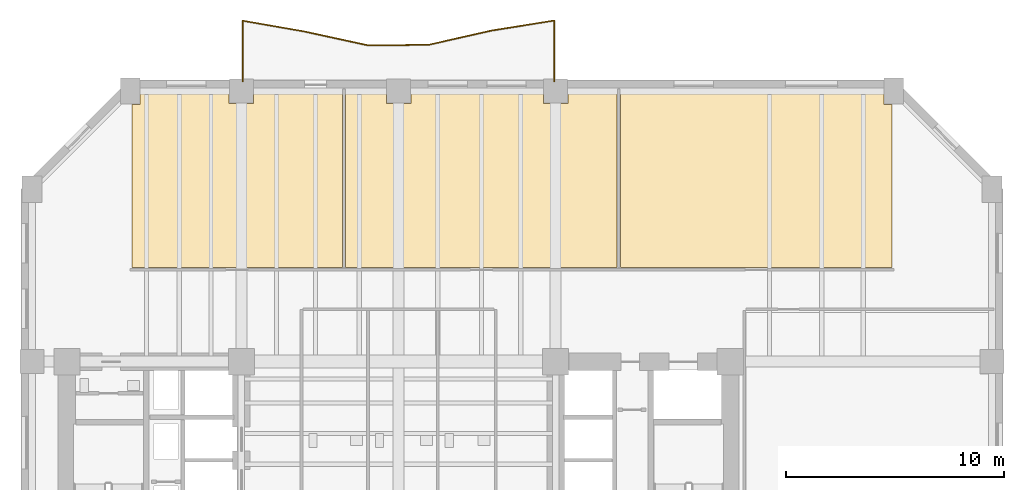
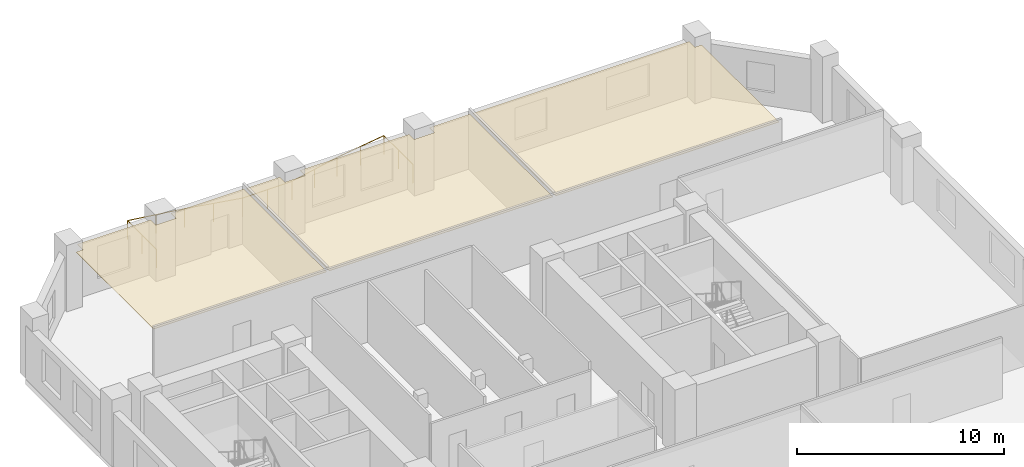
# One storey, part 8 of 9: 3 coverings, 1 railing.
"""IFC4 building model written with IfcOpenShell, lengths in metres."""

import ifcopenshell
import ifcopenshell.guid

model = None  # the IFC model being written
_history = None  # IfcOwnerHistory: only IFC2X3 demands one
_inside = {}  # id of a spatial element -> (the spatial element, [elements in it])
_under = {}  # id of a project, library or spatial element -> (it, [spatial elements below it])
_declared = {}  # id of a project -> (the project, [libraries it declares])
_typed = {}  # id of a type object -> (the type object, [elements of that type])
_made_of = {}  # id of a material, layer set ... -> (it, [elements and type objects made of it])


def new_model(schema):
    """Start an empty IFC model of exactly this schema.

    Asked for "IFC4X3", IfcOpenShell would pick the latest addendum, in which some entities
    have other attributes; the version numbers below select the first issue.
    IFC2X3 requires an IfcOwnerHistory on every rooted entity: one is made here for all.
    """
    global model, _history
    if schema == "IFC4X3":
        model = ifcopenshell.file(schema_version=(4, 3, 0, 0))
    else:
        model = ifcopenshell.file(schema=schema)
    _inside.clear()
    _under.clear()
    _declared.clear()
    _typed.clear()
    _made_of.clear()
    _history = None
    if model.schema == "IFC2X3":
        org = make("IfcOrganization", Name="unknown")
        user = make(
            "IfcPersonAndOrganization",
            ThePerson=make("IfcPerson", FamilyName="unknown"),
            TheOrganization=org,
        )
        app = make(
            "IfcApplication",
            ApplicationDeveloper=org,
            Version="unknown",
            ApplicationFullName="unknown",
            ApplicationIdentifier="unknown",
        )
        _history = make(
            "IfcOwnerHistory",
            OwningUser=user,
            OwningApplication=app,
            ChangeAction="ADDED",
            CreationDate=0,
        )
    return model


def make(cls, **values):
    """One entity of the class cls with the attributes given. An attribute that is None is left unset."""
    return model.create_entity(
        cls, **{name: value for name, value in values.items() if value is not None}
    )


def rooted(cls, **values):
    """An entity with a GlobalId (a new one), such as an element, a storey or a relation."""
    return make(cls, GlobalId=ifcopenshell.guid.new(), OwnerHistory=_history, **values)


def si_unit(unit_type, name, prefix=None):
    """IfcSIUnit, for example si_unit("LENGTHUNIT", "METRE", prefix="MILLI")."""
    return make("IfcSIUnit", UnitType=unit_type, Prefix=prefix, Name=name)


def assignment(units):
    """IfcUnitAssignment: the units of a project."""
    return None if units is None else make("IfcUnitAssignment", Units=units)


def point(xyz):
    """IfcCartesianPoint."""
    return None if xyz is None else make("IfcCartesianPoint", Coordinates=xyz)


def direction(xyz):
    """IfcDirection."""
    return None if xyz is None else make("IfcDirection", DirectionRatios=xyz)


def frame(location, z_axis=None, x_axis=None):
    """IfcAxis2Placement3D, a coordinate frame: its origin and axes. An axis left out is left unset."""
    return make(
        "IfcAxis2Placement3D",
        Location=point(location),
        Axis=direction(z_axis),
        RefDirection=direction(x_axis),
    )


def frame_2d(location, x_axis=None):
    """IfcAxis2Placement2D, a coordinate frame in the plane: its origin and x axis."""
    return make(
        "IfcAxis2Placement2D", Location=point(location), RefDirection=direction(x_axis)
    )


def origin():
    """The frame at (0, 0, 0) with its axes left unset."""
    return frame((0.0, 0.0, 0.0))


def origin_2d():
    """The frame at (0, 0) in the plane with its x axis left unset."""
    return frame_2d((0.0, 0.0))


def place(relative_to, where):
    """IfcLocalPlacement: puts the frame where relative to a parent placement (None: the world)."""
    return make(
        "IfcLocalPlacement", PlacementRelTo=relative_to, RelativePlacement=where
    )


def context(
    kind, dimensions, precision=None, world=None, true_north=None, identifier=None
):
    """IfcGeometricRepresentationContext, for example the 3D "Model" context."""
    return make(
        "IfcGeometricRepresentationContext",
        ContextIdentifier=identifier,
        ContextType=kind,
        CoordinateSpaceDimension=dimensions,
        Precision=precision,
        WorldCoordinateSystem=world,
        TrueNorth=true_north,
    )


def subcontext(parent, identifier, kind, view, scale=None):
    """IfcGeometricRepresentationSubContext, for example "Body" below "Model"."""
    return make(
        "IfcGeometricRepresentationSubContext",
        ContextIdentifier=identifier,
        ContextType=kind,
        ParentContext=parent,
        TargetScale=scale,
        TargetView=view,
    )


def project(units=None, contexts=None):
    """IfcProject with its units and contexts."""
    return rooted(
        "IfcProject",
        Name="project",
        RepresentationContexts=contexts,
        UnitsInContext=assignment(units),
    )


def spatial(cls, under=None, at=None, **own):
    """A site, building, storey or space (cls), placed at a placement, below another one or the project."""
    s = rooted(cls, ObjectPlacement=at, **own)
    if under is not None:
        _under.setdefault(under.id(), (under, []))[1].append(s)
    return s


def polyline(points):
    """IfcPolyline through the points."""
    return make("IfcPolyline", Points=[point(p) for p in points])


def profile(cls, at=None, kind="AREA", **sizes):
    """A parametric profile (cls). Its sizes go by their IFC names, for example OverallWidth=200.0."""
    return make(cls, ProfileType=kind, Position=at, **sizes)


def circle(**sizes):
    """IfcCircleProfileDef."""
    return profile("IfcCircleProfileDef", **sizes)


def outline(outer, holes=None, kind="AREA"):
    """IfcArbitraryClosedProfileDef: a profile drawn as a closed curve; with holes, ...WithVoids."""
    if holes is None:
        return make("IfcArbitraryClosedProfileDef", ProfileType=kind, OuterCurve=outer)
    return make(
        "IfcArbitraryProfileDefWithVoids",
        ProfileType=kind,
        OuterCurve=outer,
        InnerCurves=holes,
    )


def extrude(swept, where, along, depth):
    """IfcExtrudedAreaSolid: the profile swept, set in the frame where, extruded along a direction by depth."""
    return make(
        "IfcExtrudedAreaSolid",
        SweptArea=swept,
        Position=where,
        ExtrudedDirection=direction(along),
        Depth=depth,
    )


def shape(context_of_items, identifier, shape_type, items):
    """IfcShapeRepresentation: the items that make up one representation, for example the "Body"."""
    return make(
        "IfcShapeRepresentation",
        ContextOfItems=context_of_items,
        RepresentationIdentifier=identifier,
        RepresentationType=shape_type,
        Items=items,
    )


def material(Name=None, Category=None):
    """IfcMaterial."""
    return make("IfcMaterial", Name=Name, Category=Category)


def layer(
    of_material, thickness, ventilated=None, Name=None, Category=None, Priority=None
):
    """IfcMaterialLayer: one layer of a wall or slab, of a material (None: an air gap)."""
    return make(
        "IfcMaterialLayer",
        Material=of_material,
        LayerThickness=thickness,
        IsVentilated=ventilated,
        Name=Name,
        Category=Category,
        Priority=Priority,
    )


def layer_set(layers, Name=None):
    """IfcMaterialLayerSet."""
    return make("IfcMaterialLayerSet", MaterialLayers=layers, LayerSetName=Name)


def made_of(thing, what):
    """Note that an element or type object is made of a material, layer set ...; save() writes the relation."""
    if what is not None:
        _made_of.setdefault(what.id(), (what, []))[1].append(thing)
    return thing


def type_object(cls, material=None, **own):
    """A type object (cls), such as IfcWallType, which elements share."""
    return made_of(rooted(cls, **own), material)


def element(
    cls,
    number,
    at=None,
    inside=None,
    cuts=None,
    type_object=None,
    material=None,
    context=None,
    identifier="Body",
    shape_type=None,
    held_by="IfcProductDefinitionShape",
    body=None,
    shapes=None,
    **own,
):
    """One element of the class cls, such as IfcWall. Its Tag is "e" and its number.

    at: its placement. inside: the storey or other place that contains it. cuts: it is an
    opening in that element (IfcRelVoidsElement). A single representation is given by context,
    identifier, shape_type and body (its items); several are given by shapes. held_by: the class
    of the entity that holds the representations. save() writes the other relations.
    """
    e = rooted(cls, Tag="e%d" % number, ObjectPlacement=at, **own)
    if body is not None:
        shapes = [shape(context, identifier, shape_type, body)]
    if shapes is not None:
        e.Representation = make(held_by, Representations=shapes)
    if inside is not None:
        _inside.setdefault(inside.id(), (inside, []))[1].append(e)
    if cuts is not None:
        rooted(
            "IfcRelVoidsElement", RelatingBuildingElement=cuts, RelatedOpeningElement=e
        )
    if type_object is not None:
        _typed.setdefault(type_object.id(), (type_object, []))[1].append(e)
    return made_of(e, material)


def aggregate(whole, parts):
    """IfcRelAggregates: a whole, such as a stair, and the parts it consists of."""
    return rooted("IfcRelAggregates", RelatingObject=whole, RelatedObjects=parts)


def save(model, path):
    """Write the relations noted so far, then the file.

    IfcRelAggregates (storeys below a building ...), IfcRelContainedInSpatialStructure (elements
    in a storey), IfcRelDefinesByType, IfcRelAssociatesMaterial and IfcRelDeclares: one each for
    every whole, place, type object, material and project.
    """
    for whole, parts in _under.values():
        aggregate(whole, parts)
    for where, things in _inside.values():
        rooted(
            "IfcRelContainedInSpatialStructure",
            RelatedElements=things,
            RelatingStructure=where,
        )
    for kind, things in _typed.values():
        rooted("IfcRelDefinesByType", RelatedObjects=things, RelatingType=kind)
    for what, things in _made_of.values():
        rooted("IfcRelAssociatesMaterial", RelatedObjects=things, RelatingMaterial=what)
    for by, libraries in _declared.values():
        rooted("IfcRelDeclares", RelatingContext=by, RelatedDefinitions=libraries)
    model.write(path)


model = new_model("IFC4")

# Units and contexts
model_context = context("Model", 3, precision=1e-05, world=origin(), true_north=direction((0.0, 1.0)))
body_context = subcontext(model_context, "Body", "Model", "MODEL_VIEW")
ifc_project = project(units=[si_unit("LENGTHUNIT", "METRE"), si_unit("AREAUNIT", "SQUARE_METRE"), si_unit("VOLUMEUNIT", "CUBIC_METRE"), si_unit("PLANEANGLEUNIT", "RADIAN"), si_unit("MASSUNIT", "GRAM", prefix="KILO")], contexts=[model_context])

# Site, building, storey
site_placement = place(None, origin())
site = spatial("IfcSite", under=ifc_project, at=site_placement, CompositionType="ELEMENT")
building_placement = place(site_placement, origin())
building = spatial("IfcBuilding", under=site, at=building_placement, Name="Kranthara Brick Stack", CompositionType="ELEMENT")
storey_placement = place(building_placement, frame((0.0, 0.0, 51.60009765625)))
storey = spatial("IfcBuildingStorey", under=building, at=storey_placement, Name="L12", CompositionType="ELEMENT", Elevation=51.60009765625)

# Coverings
ifc_material_1 = material(Name="Perforated mineral-fibre acoustic ceiling tile", Category="other")
ifc_layer = layer(ifc_material_1, 0.02490234375)
ifc_layer_set = layer_set([ifc_layer], Name="Perforated mineral-fibre acoustic ceiling tile")
covering_type = type_object("IfcCoveringType", Name="COV-CEIL-ACOUSTIC", PredefinedType="CEILING", material=ifc_layer_set)
covering_1_placement = place(storey_placement, frame((0.0, 0.0, 3.329833984375)))
element("IfcCovering", 1, at=covering_1_placement, inside=storey, type_object=covering_type, Name="L12 L12 Open Plan Workspace 1 Acoustic Ceiling", PredefinedType="CEILING", context=body_context, shape_type="SweptSolid", body=[
    extrude(outline(polyline([(25.419921875, 37.919921875), (15.780029296875, 37.919921875), (15.780029296875, 45.389892578125), (16.159912109375, 45.389892578125), (16.159912109375, 45.929931640625), (20.239990234375, 45.929931640625), (20.239990234375, 45.43994140625), (21.360107421875, 45.43994140625), (21.360107421875, 45.929931640625), (25.419921875, 45.929931640625), (25.419921875, 37.919921875)])), origin(), (0.0, 0.0, 1.0), 0.025146484375),
])
covering_2_placement = place(storey_placement, frame((0.0, 0.0, 3.329833984375)))
element("IfcCovering", 2, at=covering_2_placement, inside=storey, type_object=covering_type, Name="L12 L12 Collaboration Lounge 2 Acoustic Ceiling", PredefinedType="CEILING", context=body_context, shape_type="SweptSolid", body=[
    extrude(outline(polyline([(38.02001953125, 37.919921875), (25.580078125, 37.919921875), (25.580078125, 45.929931640625), (27.43994140625, 45.929931640625), (27.43994140625, 45.43994140625), (28.56005859375, 45.43994140625), (28.56005859375, 45.929931640625), (34.639892578125, 45.929931640625), (34.639892578125, 45.43994140625), (35.760009765625, 45.43994140625), (35.760009765625, 45.929931640625), (38.02001953125, 45.929931640625), (38.02001953125, 37.919921875)])), origin(), (0.0, 0.0, 1.0), 0.025146484375),
])
covering_3_placement = place(storey_placement, frame((0.0, 0.0, 3.329833984375)))
element("IfcCovering", 3, at=covering_3_placement, inside=storey, type_object=covering_type, Name="L12 L12 Client Briefing Suite 3 Acoustic Ceiling", PredefinedType="CEILING", context=body_context, shape_type="SweptSolid", body=[
    extrude(outline(polyline([(50.6201171875, 37.919921875), (38.179931640625, 37.919921875), (38.179931640625, 45.929931640625), (50.239990234375, 45.929931640625), (50.239990234375, 45.389892578125), (50.6201171875, 45.389892578125), (50.6201171875, 37.919921875)])), origin(), (0.0, 0.0, 1.0), 0.025146484375),
])

# Railing
ifc_material_2 = material(Name="Bronze anodised aluminium and laminated glass balustrade", Category="aluminium")
railing_type = type_object("IfcRailingType", Name="RL-BALC-1120", PredefinedType="BALUSTRADE", material=ifc_material_2)
railing_placement = place(storey_placement, frame((20.860107421875, 46.43994140625, 0.0)))
element("IfcRailing", 4, at=railing_placement, inside=storey, type_object=railing_type, Name="L12 North Rippling Balcony Balustrade", PredefinedType="BALUSTRADE", context=body_context, shape_type="SweptSolid", body=[
    extrude(circle(Radius=0.02392578125, at=origin_2d()), frame((0.0, 0.0, 1.09619140625), z_axis=(-0.000262766042, 0.999999965477, 0.0), x_axis=(-0.999999965477, -0.000262766042, 0.0)), (0.0, 0.0, 1.0), 2.787353515625),
    extrude(circle(Radius=0.02392578125, at=origin_2d()), frame((-0.000732421875, 2.787353515625, 1.09619140625), z_axis=(0.985037201008, -0.172341848172, 0.0), x_axis=(0.172341848172, 0.985037201008, 0.0)), (0.0, 0.0, 1.0), 2.923828125),
    extrude(circle(Radius=0.02392578125, at=origin_2d()), frame((2.87939453125, 2.283447265625, 1.09619140625), z_axis=(0.977017642872, -0.213158451666, 0.0), x_axis=(0.213158451666, 0.977017642872, 0.0)), (0.0, 0.0, 1.0), 2.9482421875),
    extrude(circle(Radius=0.02392578125, at=origin_2d()), frame((5.759765625, 1.655029296875, 1.09619140625), z_axis=(0.999942725369, 0.010702615636, 0.0), x_axis=(-0.010702615636, 0.999942725369, 0.0)), (0.0, 0.0, 1.0), 2.76025390625),
    extrude(circle(Radius=0.02392578125, at=origin_2d()), frame((8.519775390625, 1.6845703125, 1.09619140625), z_axis=(0.975339493419, 0.22070992859, 0.0), x_axis=(-0.22070992859, 0.975339493419, 0.0)), (0.0, 0.0, 1.0), 2.953369140625),
    extrude(circle(Radius=0.02392578125, at=origin_2d()), frame((11.400390625, 2.33642578125, 1.09619140625), z_axis=(0.987486556921, 0.157703201936, 0.0), x_axis=(-0.157703201936, 0.987486556921, 0.0)), (0.0, 0.0, 1.0), 2.91650390625),
    extrude(circle(Radius=0.02392578125, at=origin_2d()), frame((14.280517578125, 2.79638671875, 1.09619140625), z_axis=(-0.000261917225, -0.9999999657, 0.0), x_axis=(0.9999999657, -0.000261917225, 0.0)), (0.0, 0.0, 1.0), 2.79638671875),
    extrude(circle(Radius=0.02099609375, at=origin_2d()), origin(), (0.0, 0.0, 1.0), 1.072021484375),
    extrude(circle(Radius=0.02099609375, at=origin_2d()), frame((-0.00048828125, 1.3935546875, 0.0)), (0.0, 0.0, 1.0), 1.072021484375),
    extrude(circle(Radius=0.02099609375, at=origin_2d()), frame((-0.000732421875, 2.787353515625, 0.0)), (0.0, 0.0, 1.0), 1.072021484375),
    extrude(circle(Radius=0.02099609375, at=origin_2d()), frame((1.439453125, 2.535400390625, 0.0)), (0.0, 0.0, 1.0), 1.072021484375),
    extrude(circle(Radius=0.02099609375, at=origin_2d()), frame((2.87939453125, 2.283447265625, 0.0)), (0.0, 0.0, 1.0), 1.072021484375),
    extrude(circle(Radius=0.02099609375, at=origin_2d()), frame((4.319580078125, 1.96923828125, 0.0)), (0.0, 0.0, 1.0), 1.072021484375),
    extrude(circle(Radius=0.02099609375, at=origin_2d()), frame((5.759765625, 1.655029296875, 0.0)), (0.0, 0.0, 1.0), 1.072021484375),
    extrude(circle(Radius=0.02099609375, at=origin_2d()), frame((7.1396484375, 1.669921875, 0.0)), (0.0, 0.0, 1.0), 1.072021484375),
    extrude(circle(Radius=0.02099609375, at=origin_2d()), frame((8.519775390625, 1.6845703125, 0.0)), (0.0, 0.0, 1.0), 1.072021484375),
    extrude(circle(Radius=0.02099609375, at=origin_2d()), frame((9.9599609375, 2.010498046875, 0.0)), (0.0, 0.0, 1.0), 1.072021484375),
    extrude(circle(Radius=0.02099609375, at=origin_2d()), frame((11.400390625, 2.33642578125, 0.0)), (0.0, 0.0, 1.0), 1.072021484375),
    extrude(circle(Radius=0.02099609375, at=origin_2d()), frame((12.84033203125, 2.56640625, 0.0)), (0.0, 0.0, 1.0), 1.072021484375),
    extrude(circle(Radius=0.02099609375, at=origin_2d()), frame((14.280517578125, 2.79638671875, 0.0)), (0.0, 0.0, 1.0), 1.072021484375),
    extrude(circle(Radius=0.02099609375, at=origin_2d()), frame((14.2802734375, 1.398193359375, 0.0)), (0.0, 0.0, 1.0), 1.072021484375),
    extrude(circle(Radius=0.02099609375, at=origin_2d()), frame((14.27978515625, 0.0, 0.0)), (0.0, 0.0, 1.0), 1.072021484375),
])

save(model, "model.ifc")
